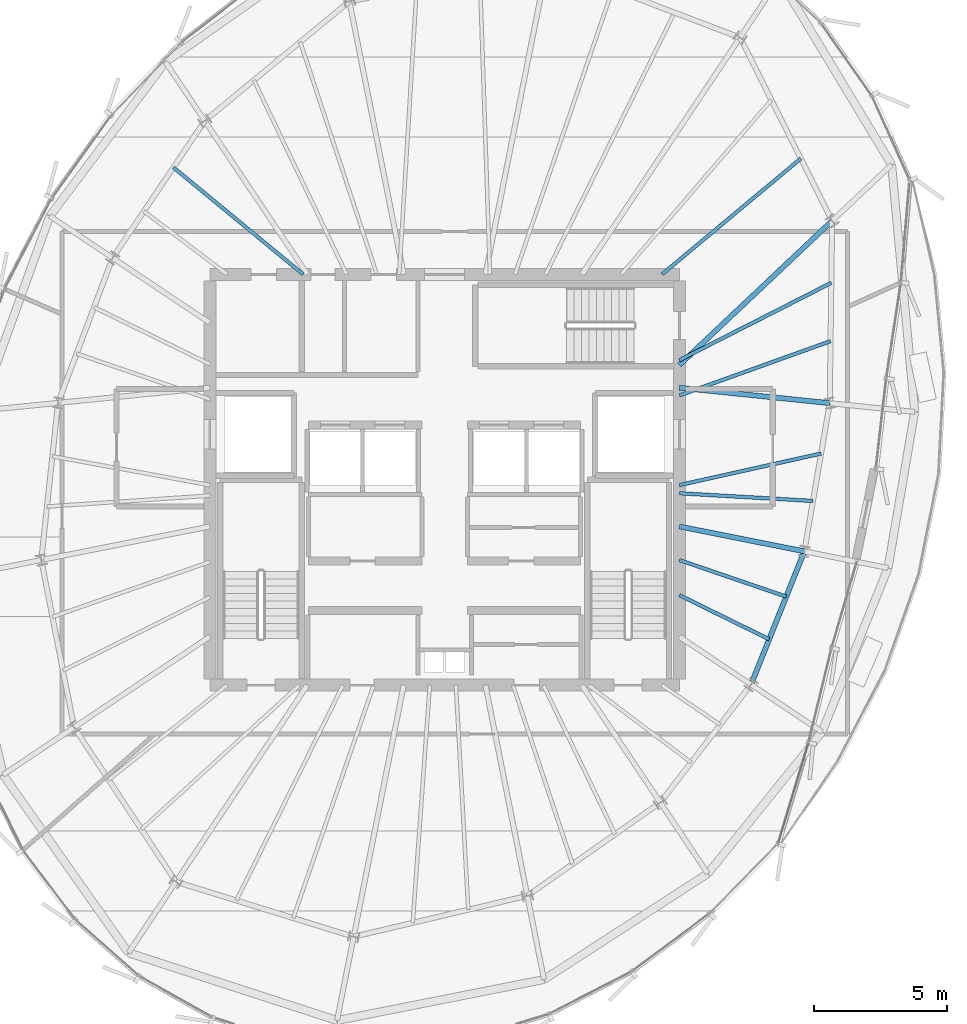
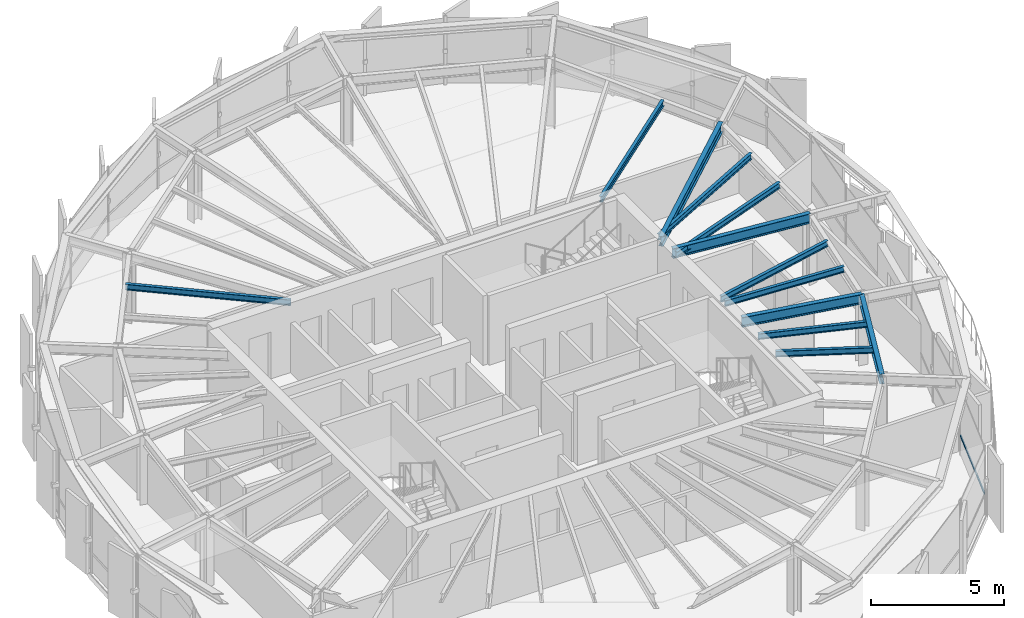
# One storey, part 13 of 31: 12 beams, 1 member, 1 element without a shape of its own.
"""IFC4 building model written with IfcOpenShell, lengths in metres."""

from ifc_helpers import new_model, si_unit, direction, frame, origin, origin_2d, place, context, subcontext, project, spatial, hollow_rectangle, i_section, extrude, source, transform, mapped, material, layer, layer_set, material_profile, profile_set, type_object, element, aggregate, save


model = new_model("IFC4")

# Units and contexts
model_context = context("Model", 3, precision=1e-05, world=origin(), true_north=direction((0.0, 1.0)))
body_context = subcontext(model_context, "Body", "Model", "MODEL_VIEW")
ifc_project = project(units=[si_unit("LENGTHUNIT", "METRE"), si_unit("AREAUNIT", "SQUARE_METRE"), si_unit("VOLUMEUNIT", "CUBIC_METRE"), si_unit("PLANEANGLEUNIT", "RADIAN"), si_unit("MASSUNIT", "GRAM", prefix="KILO"), si_unit("THERMODYNAMICTEMPERATUREUNIT", "KELVIN")], contexts=[model_context])

# Site, building, storey
site_placement = place(None, origin())
site = spatial("IfcSite", under=ifc_project, at=site_placement, CompositionType="ELEMENT")
building_placement = place(site_placement, origin())
building = spatial("IfcBuilding", under=site, at=building_placement, Name="Kethvar Cultural Tower", CompositionType="ELEMENT")
storey_placement = place(building_placement, frame((0.0, 0.0, 300.85009765625)))
storey = spatial("IfcBuildingStorey", under=building, at=storey_placement, Name="L80", CompositionType="ELEMENT", Elevation=300.85009765625)

# Beams
ifc_material_1 = material(Name="Steel S355J2", Category="steel")
ifc_material_profile_1 = material_profile(ifc_material_1, i_section(OverallWidth=0.18994140625, OverallDepth=0.449951171875, WebThickness=0.009521484375, FlangeThickness=0.0146484375, FilletRadius=0.02099609375, at=origin_2d()), Name="Steel S355J2 — IPE450")
ifc_profile_set_1 = profile_set([ifc_material_profile_1], Name="Steel S355J2 — IPE450")
beam_type_1 = type_object("IfcBeamType", Name="BM-IPE450", PredefinedType="BEAM", material=ifc_profile_set_1)
shared_shape_1 = source(origin(), body_context, "Body", "SweptSolid", [
    extrude(i_section(OverallWidth=0.18994140625, OverallDepth=0.449951171875, WebThickness=0.009521484375, FlangeThickness=0.0146484375, FilletRadius=0.02099609375, at=origin_2d()), origin(), (0.0, 0.0, 1.0), 5.66650390625),
])
beam_1_placement = place(storey_placement, frame((55.60009765625, 31.25, 2.9580078125), z_axis=(0.994777513459, -0.102067128476, 0.0), x_axis=(0.102067128476, 0.994777513459, 0.0)))
element("IfcBeam", 1, at=beam_1_placement, inside=storey, type_object=beam_type_1, Name="L80 Primary Radial Beam RB-01", PredefinedType="BEAM", context=body_context, shape_type="MappedRepresentation", body=[
    mapped(shared_shape_1, transform((0.0, 0.0, 0.0), scale=1.0)),
])
shared_shape_2 = source(origin(), body_context, "Body", "SweptSolid", [
    extrude(i_section(OverallWidth=0.18994140625, OverallDepth=0.449951171875, WebThickness=0.009521484375, FlangeThickness=0.0146484375, FilletRadius=0.02099609375, at=origin_2d()), origin(), (0.0, 0.0, 1.0), 7.874267578125),
])
beam_2_placement = place(storey_placement, frame((55.60009765625, 32.10009765625, 2.9580078125), z_axis=(0.727123202456, 0.686506990823, 0.0), x_axis=(-0.686506990823, 0.727123202456, 0.0)))
element("IfcBeam", 2, at=beam_2_placement, inside=storey, type_object=beam_type_1, Name="L80 Primary Radial Beam RB-02", PredefinedType="BEAM", context=body_context, shape_type="MappedRepresentation", body=[
    mapped(shared_shape_2, transform((0.0, 0.0, 0.0), scale=1.0)),
])
shared_shape_3 = source(origin(), body_context, "Body", "SweptSolid", [
    extrude(i_section(OverallWidth=0.18994140625, OverallDepth=0.449951171875, WebThickness=0.009521484375, FlangeThickness=0.0146484375, FilletRadius=0.02099609375, at=origin_2d()), origin(), (0.0, 0.0, 1.0), 4.775390625),
])
beam_3_placement = place(storey_placement, frame((55.60009765625, 26.049560546875, 2.9580078125), z_axis=(0.980784643133, -0.195093525761, 0.0), x_axis=(0.195093525761, 0.980784643133, 0.0)))
element("IfcBeam", 3, at=beam_3_placement, inside=storey, type_object=beam_type_1, Name="L80 Primary Radial Beam RB-16", PredefinedType="BEAM", context=body_context, shape_type="MappedRepresentation", body=[
    mapped(shared_shape_3, transform((0.0, 0.0, 0.0), scale=1.0)),
])
ifc_material_profile_2 = material_profile(ifc_material_1, i_section(OverallWidth=0.135009765625, OverallDepth=0.27001953125, WebThickness=0.006591796875, FlangeThickness=0.01025390625, FilletRadius=0.014892578125, at=origin_2d()), Name="Steel S355J2 — IPE270")
ifc_profile_set_2 = profile_set([ifc_material_profile_2], Name="Steel S355J2 — IPE270")
beam_type_2 = type_object("IfcBeamType", Name="BM-J270", PredefinedType="JOIST", material=ifc_profile_set_2)
shared_shape_4 = source(origin(), body_context, "Body", "SweptSolid", [
    extrude(i_section(OverallWidth=0.135009765625, OverallDepth=0.27001953125, WebThickness=0.006591796875, FlangeThickness=0.01025390625, FilletRadius=0.014892578125, at=origin_2d()), origin(), (0.0, 0.0, 1.0), 6.021240234375),
])
beam_4_placement = place(storey_placement, frame((55.60009765625, 30.960205078125, 3.0478515625), z_axis=(0.94114970072, 0.337990001086, 0.0), x_axis=(-0.337990001086, 0.94114970072, 0.0)))
element("IfcBeam", 4, at=beam_4_placement, inside=storey, type_object=beam_type_2, Name="L80 Composite Floor Joist J-01A", PredefinedType="JOIST", context=body_context, shape_type="MappedRepresentation", body=[
    mapped(shared_shape_4, transform((0.0, 0.0, 0.0), scale=1.0)),
])
shared_shape_5 = source(origin(), body_context, "Body", "SweptSolid", [
    extrude(i_section(OverallWidth=0.135009765625, OverallDepth=0.27001953125, WebThickness=0.006591796875, FlangeThickness=0.01025390625, FilletRadius=0.014892578125, at=origin_2d()), origin(), (0.0, 0.0, 1.0), 6.3916015625),
])
beam_5_placement = place(storey_placement, frame((55.60009765625, 32.281494140625, 3.0478515625), z_axis=(0.891094874615, 0.453817060538, 0.0), x_axis=(-0.453817060538, 0.891094874615, 0.0)))
element("IfcBeam", 5, at=beam_5_placement, inside=storey, type_object=beam_type_2, Name="L80 Composite Floor Joist J-01B", PredefinedType="JOIST", context=body_context, shape_type="MappedRepresentation", body=[
    mapped(shared_shape_5, transform((0.0, 0.0, 0.0), scale=1.0)),
])
shared_shape_6 = source(origin(), body_context, "Body", "SweptSolid", [
    extrude(i_section(OverallWidth=0.135009765625, OverallDepth=0.27001953125, WebThickness=0.006591796875, FlangeThickness=0.01025390625, FilletRadius=0.014892578125, at=origin_2d()), origin(), (0.0, 0.0, 1.0), 6.776123046875),
])
beam_6_placement = place(storey_placement, frame((54.949951171875, 35.5, 3.0478515625), z_axis=(0.767801747857, 0.6406875026, 0.0), x_axis=(-0.6406875026, 0.767801747857, 0.0)))
element("IfcBeam", 6, at=beam_6_placement, inside=storey, type_object=beam_type_2, Name="L80 Composite Floor Joist J-02A", PredefinedType="JOIST", context=body_context, shape_type="MappedRepresentation", body=[
    mapped(shared_shape_6, transform((0.0, 0.0, 0.0), scale=1.0)),
])
shared_shape_7 = source(origin(), body_context, "Body", "SweptSolid", [
    extrude(i_section(OverallWidth=0.135009765625, OverallDepth=0.27001953125, WebThickness=0.006591796875, FlangeThickness=0.01025390625, FilletRadius=0.014892578125, at=origin_2d()), origin(), (0.0, 0.0, 1.0), 6.302978515625),
])
beam_7_placement = place(storey_placement, frame((41.5, 35.5, 3.0478515625), z_axis=(-0.771828477148, 0.635830796567, 0.0), x_axis=(-0.635830796567, -0.771828477148, 0.0)))
element("IfcBeam", 7, at=beam_7_placement, inside=storey, type_object=beam_type_2, Name="L80 Composite Floor Joist J-06A", PredefinedType="JOIST", context=body_context, shape_type="MappedRepresentation", body=[
    mapped(shared_shape_7, transform((0.0, 0.0, 0.0), scale=1.0)),
])
shared_shape_8 = source(origin(), body_context, "Body", "SweptSolid", [
    extrude(i_section(OverallWidth=0.18994140625, OverallDepth=0.449951171875, WebThickness=0.009521484375, FlangeThickness=0.0146484375, FilletRadius=0.02099609375, at=origin_2d()), origin(), (0.0, 0.0, 1.0), 5.377685546875),
])
beam_8_placement = place(storey_placement, frame((58.287109375, 20.12451171875, 2.9580078125), z_axis=(0.371265436914, 0.928526776864, 0.0), x_axis=(-0.928526776864, 0.371265436914, 0.0)))
element("IfcBeam", 8, at=beam_8_placement, inside=storey, type_object=beam_type_1, Name="L80 Column Ring Tie Beam CR-15", PredefinedType="BEAM", context=body_context, shape_type="MappedRepresentation", body=[
    mapped(shared_shape_8, transform((0.0, 0.0, 0.0), scale=1.0)),
])
shared_shape_9 = source(origin(), body_context, "Body", "SweptSolid", [
    extrude(i_section(OverallWidth=0.135009765625, OverallDepth=0.27001953125, WebThickness=0.006591796875, FlangeThickness=0.01025390625, FilletRadius=0.014892578125, at=origin_2d()), origin(), (0.0, 0.0, 1.0), 3.75),
])
beam_9_placement = place(storey_placement, frame((55.60009765625, 23.476318359375, 3.0478515625), z_axis=(0.8975046019, -0.441005090184, 0.0), x_axis=(0.441005090184, 0.8975046019, 0.0)))
element("IfcBeam", 9, at=beam_9_placement, inside=storey, type_object=beam_type_2, Name="L80 Composite Floor Joist J-15A", PredefinedType="JOIST", context=body_context, shape_type="MappedRepresentation", body=[
    mapped(shared_shape_9, transform((0.0, 0.0, 0.0), scale=1.0)),
])
shared_shape_10 = source(origin(), body_context, "Body", "SweptSolid", [
    extrude(i_section(OverallWidth=0.135009765625, OverallDepth=0.27001953125, WebThickness=0.006591796875, FlangeThickness=0.01025390625, FilletRadius=0.014892578125, at=origin_2d()), origin(), (0.0, 0.0, 1.0), 4.232421875),
])
beam_10_placement = place(storey_placement, frame((55.60009765625, 24.7900390625, 3.0478515625), z_axis=(0.946173747357, -0.323659141402, 0.0), x_axis=(0.323659141402, 0.946173747357, 0.0)))
element("IfcBeam", 10, at=beam_10_placement, inside=storey, type_object=beam_type_2, Name="L80 Composite Floor Joist J-15B", PredefinedType="JOIST", context=body_context, shape_type="MappedRepresentation", body=[
    mapped(shared_shape_10, transform((0.0, 0.0, 0.0), scale=1.0)),
])
shared_shape_11 = source(origin(), body_context, "Body", "SweptSolid", [
    extrude(i_section(OverallWidth=0.135009765625, OverallDepth=0.27001953125, WebThickness=0.006591796875, FlangeThickness=0.01025390625, FilletRadius=0.014892578125, at=origin_2d()), origin(), (0.0, 0.0, 1.0), 5.01611328125),
])
beam_11_placement = place(storey_placement, frame((55.60009765625, 27.294189453125, 3.0478515625), z_axis=(0.998352190078, -0.057383835418, 0.0), x_axis=(0.057383835418, 0.998352190078, 0.0)))
element("IfcBeam", 11, at=beam_11_placement, inside=storey, type_object=beam_type_2, Name="L80 Composite Floor Joist J-16A", PredefinedType="JOIST", context=body_context, shape_type="MappedRepresentation", body=[
    mapped(shared_shape_11, transform((0.0, 0.0, 0.0), scale=1.0)),
])
shared_shape_12 = source(origin(), body_context, "Body", "SweptSolid", [
    extrude(i_section(OverallWidth=0.135009765625, OverallDepth=0.27001953125, WebThickness=0.006591796875, FlangeThickness=0.01025390625, FilletRadius=0.014892578125, at=origin_2d()), origin(), (0.0, 0.0, 1.0), 5.44287109375),
])
beam_12_placement = place(storey_placement, frame((55.60009765625, 27.60009765625, 3.0478515625), z_axis=(0.976080346759, 0.217410111702, 0.0), x_axis=(-0.217410111702, 0.976080346759, 0.0)))
element("IfcBeam", 12, at=beam_12_placement, inside=storey, type_object=beam_type_2, Name="L80 Composite Floor Joist J-16B", PredefinedType="JOIST", context=body_context, shape_type="MappedRepresentation", body=[
    mapped(shared_shape_12, transform((0.0, 0.0, 0.0), scale=1.0)),
])

# Curtain wall, member
ifc_material_2 = material(Name="Aluminium 6063-T6", Category="aluminium")
ifc_layer = layer(ifc_material_2, 0.179931640625, Name="Aluminium 6063-T6", Category="aluminium")
ifc_layer_set = layer_set([ifc_layer], Name="Aluminium 6063-T6 (180 mm)")
curtain_wall_type = type_object("IfcCurtainWallType", Name="CW-SYS-05-Z56", PredefinedType="NOTDEFINED", material=ifc_layer_set)
curtain_wall_placement = place(storey_placement, origin())
curtain_wall = element("IfcCurtainWall", 13, at=curtain_wall_placement, inside=storey, type_object=curtain_wall_type, Name="L80 Curtain Wall Run 05", PredefinedType="NOTDEFINED")
ifc_material_profile_3 = material_profile(ifc_material_2, hollow_rectangle(XDim=0.050048828125, YDim=0.10009765625, WallThickness=0.00390625, at=origin_2d()), Name="Aluminium 6063-T6 — RHS100x50x4")
ifc_profile_set_3 = profile_set([ifc_material_profile_3], Name="Aluminium 6063-T6 — RHS100x50x4")
member_type = type_object("IfcMemberType", Name="CW-SYS-05-Z56-TRN", PredefinedType="USERDEFINED", material=ifc_profile_set_3)
shared_shape_13 = source(origin(), body_context, "Body", "SweptSolid", [
    extrude(hollow_rectangle(XDim=0.050048828125, YDim=0.10009765625, WallThickness=0.00390625, at=origin_2d()), origin(), (0.0, 0.0, 1.0), 3.884765625),
])
member_placement = place(storey_placement, frame((59.310791015625, 14.197998046875, 0.949951171875), z_axis=(0.288587261108, 0.95745359821, 0.0), x_axis=(-0.95745359821, 0.288587261108, 0.0)))
member = element("IfcMember", 14, at=member_placement, type_object=member_type, Name="CW-L80-R05 Transom 2", ObjectType="TRANSOM", PredefinedType="USERDEFINED", context=body_context, shape_type="MappedRepresentation", body=[
    mapped(shared_shape_13, transform((0.0, 0.0, 0.0), scale=1.0)),
])
aggregate(curtain_wall, [member])

save(model, "model.ifc")
